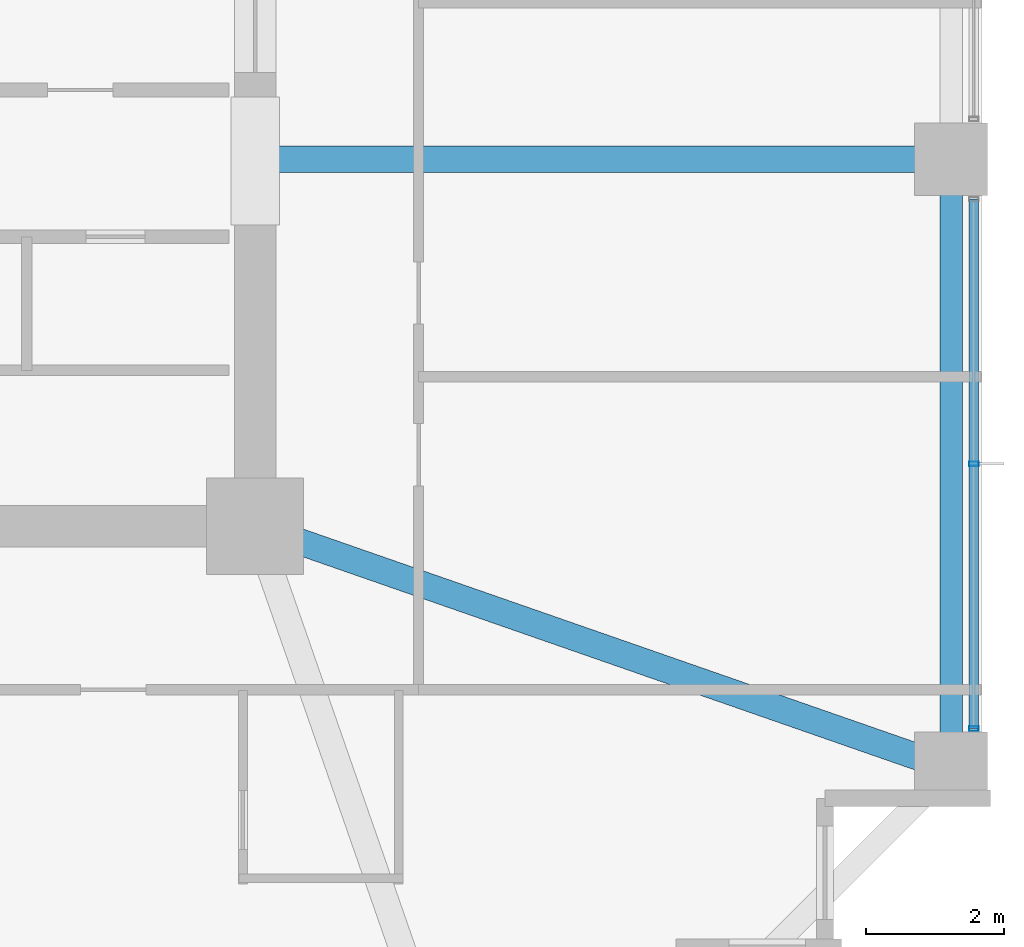
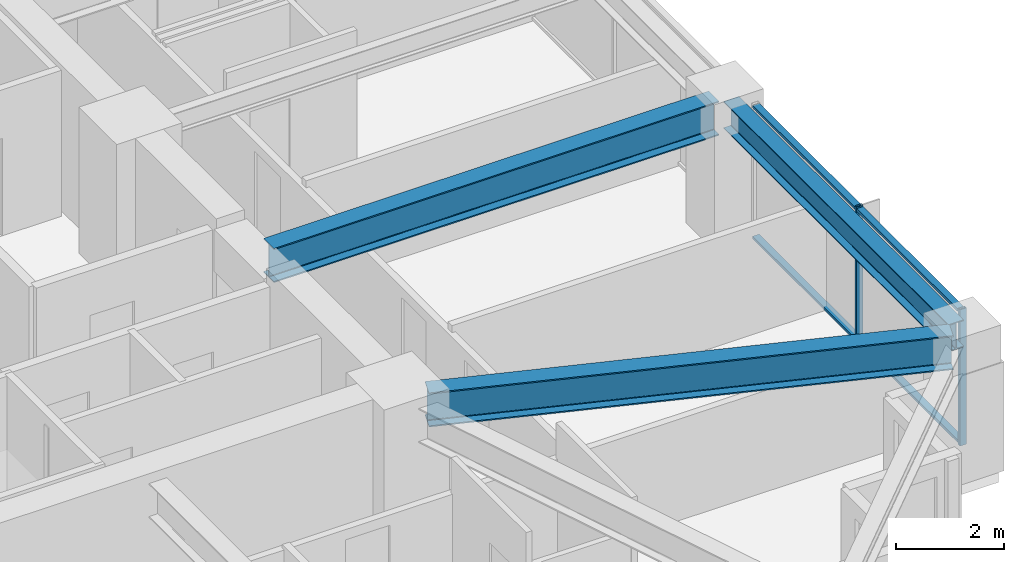
# One storey, part 14 of 38: 4 members, 3 beams, 1 element without a shape of its own.
"""IFC4 building model written with IfcOpenShell, lengths in metres."""

from ifc_helpers import new_model, si_unit, direction, frame, origin, origin_2d, place, context, subcontext, project, spatial, hollow_rectangle, i_section, extrude, material, material_profile, profile_set, type_object, element, aggregate, save


model = new_model("IFC4")

# Units and contexts
model_context = context("Model", 3, precision=1e-05, world=origin(), true_north=direction((0.0, 1.0)))
body_context = subcontext(model_context, "Body", "Model", "MODEL_VIEW")
ifc_project = project(units=[si_unit("LENGTHUNIT", "METRE"), si_unit("AREAUNIT", "SQUARE_METRE"), si_unit("VOLUMEUNIT", "CUBIC_METRE"), si_unit("PLANEANGLEUNIT", "RADIAN"), si_unit("MASSUNIT", "GRAM", prefix="KILO")], contexts=[model_context])

# Site, building, storey
site_placement = place(None, origin())
site = spatial("IfcSite", under=ifc_project, at=site_placement, CompositionType="ELEMENT")
building_placement = place(site_placement, origin())
building = spatial("IfcBuilding", under=site, at=building_placement, Name="Kolvaren Belvedere", CompositionType="ELEMENT")
storey_placement = place(building_placement, frame((0.0, 0.0, 98.60009765625)))
storey = spatial("IfcBuildingStorey", under=building, at=storey_placement, Name="L28", CompositionType="ELEMENT", Elevation=98.60009765625)

# Beams
ifc_material_1 = material(Name="Structural steel ASTM A992 Grade 50", Category="steel")
ifc_material_profile_1 = material_profile(ifc_material_1, i_section(OverallWidth=0.381103515625, OverallDepth=0.77294921875, WebThickness=0.0166015625, FlangeThickness=0.027099609375, FilletRadius=0.02392578125, at=origin_2d()), Name="W30X173")
ifc_profile_set_1 = profile_set([ifc_material_profile_1], Name="Structural steel ASTM A992 Grade 50")
beam_type_1 = type_object("IfcBeamType", Name="BM-GIRD-W30X173", PredefinedType="BEAM", material=ifc_profile_set_1)
beam_1_placement = place(storey_placement, frame((10.199951171875, -4.60009765625, 2.693359375), z_axis=(1.0, 0.0, 0.0), x_axis=(0.0, 1.0, 0.0)))
element("IfcBeam", 1, at=beam_1_placement, inside=storey, type_object=beam_type_1, Name="L28 East Radial Girder M", PredefinedType="BEAM", context=body_context, shape_type="SweptSolid", body=[
    extrude(i_section(OverallWidth=0.381103515625, OverallDepth=0.77294921875, WebThickness=0.0166015625, FlangeThickness=0.027099609375, FilletRadius=0.02392578125, at=origin_2d()), origin(), (0.0, 0.0, 1.0), 9.513916015625),
])
beam_2_placement = place(storey_placement, frame((10.41943359375, -10.080810546875, 2.693359375), z_axis=(0.944371408538, -0.328880894453, 0.0), x_axis=(0.328880894453, 0.944371408538, 0.0)))
element("IfcBeam", 2, at=beam_2_placement, inside=storey, type_object=beam_type_1, Name="L28 Corner Core-to-Perimeter Girder CC2-E1", PredefinedType="BEAM", context=body_context, shape_type="SweptSolid", body=[
    extrude(i_section(OverallWidth=0.381103515625, OverallDepth=0.77294921875, WebThickness=0.0166015625, FlangeThickness=0.027099609375, FilletRadius=0.02392578125, at=origin_2d()), origin(), (0.0, 0.0, 1.0), 9.882080078125),
])
ifc_material_2 = material(Name="Structural steel ASTM A992 Grade 50", Category="steel")
ifc_material_profile_2 = material_profile(ifc_material_2, i_section(OverallWidth=0.324951171875, OverallDepth=0.615966796875, WebThickness=0.013916015625, FlangeThickness=0.021484375, FilletRadius=0.02001953125, at=origin_2d()), Name="W24X117")
ifc_profile_set_2 = profile_set([ifc_material_profile_2], Name="Structural steel ASTM A992 Grade 50")
beam_type_2 = type_object("IfcBeamType", Name="BM-SPAN-W24X117", PredefinedType="SPANDREL", material=ifc_profile_set_2)
beam_3_placement = place(storey_placement, frame((19.949951171875, -13.163818359375, 2.77197265625), z_axis=(0.0, 1.0, 0.0), x_axis=(-1.0, 0.0, 0.0)))
element("IfcBeam", 3, at=beam_3_placement, inside=storey, type_object=beam_type_2, Name="L28 Perimeter Spandrel E1-E2", PredefinedType="SPANDREL", context=body_context, shape_type="SweptSolid", body=[
    extrude(i_section(OverallWidth=0.324951171875, OverallDepth=0.615966796875, WebThickness=0.013916015625, FlangeThickness=0.021484375, FilletRadius=0.02001953125, at=origin_2d()), origin(), (0.0, 0.0, 1.0), 8.32763671875),
])

# Curtain wall, members
ifc_material_3 = material(Name="Anodised pale-metal aluminium AA 6063-T6", Category="aluminium")
curtain_wall_type = type_object("IfcCurtainWallType", Name="CW-Z2-MID", PredefinedType="NOTDEFINED", material=ifc_material_3)
curtain_wall_placement = place(storey_placement, origin())
curtain_wall = element("IfcCurtainWall", 4, at=curtain_wall_placement, inside=storey, type_object=curtain_wall_type, Name="L28 Unitised Curtain Wall FCW-L28-E-B3", PredefinedType="NOTDEFINED")
ifc_material_4 = material(Name="Anodised pale-metal aluminium AA 6063-T6", Category="aluminium")
ifc_material_profile_3 = material_profile(ifc_material_4, hollow_rectangle(XDim=0.06494140625, YDim=0.139892578125, WallThickness=0.00390625, at=origin_2d()), Name="ALU-MUL-140X65")
ifc_profile_set_3 = profile_set([ifc_material_profile_3], Name="Anodised pale-metal aluminium AA 6063-T6")
member_type_1 = type_object("IfcMemberType", Name="CW-MUL-140", PredefinedType="MULLION", material=ifc_profile_set_3)
member_1_placement = place(storey_placement, frame((20.280029296875, -9.0, 0.0), z_axis=(0.0, 0.0, 1.0), x_axis=(0.0, 1.0, 0.0)))
member_1 = element("IfcMember", 5, at=member_1_placement, type_object=member_type_1, Name="FCW-L28-E-B3 Unitised Mullion 2", PredefinedType="MULLION", context=body_context, shape_type="SweptSolid", body=[
    extrude(hollow_rectangle(XDim=0.06494140625, YDim=0.139892578125, WallThickness=0.00390625, at=origin_2d()), origin(), (0.0, 0.0, 1.0), 3.079833984375),
])
member_2_placement = place(storey_placement, frame((20.280029296875, -12.822509765625, 0.0), z_axis=(0.0, 0.0, 1.0), x_axis=(0.0, 1.0, 0.0)))
member_2 = element("IfcMember", 6, at=member_2_placement, type_object=member_type_1, Name="FCW-L28-E-B3 Unitised Mullion 3", PredefinedType="MULLION", context=body_context, shape_type="SweptSolid", body=[
    extrude(hollow_rectangle(XDim=0.06494140625, YDim=0.139892578125, WallThickness=0.00390625, at=origin_2d()), origin(), (0.0, 0.0, 1.0), 3.079833984375),
])
ifc_material_5 = material(Name="Anodised pale-metal aluminium AA 6063-T6", Category="aluminium")
ifc_material_profile_4 = material_profile(ifc_material_5, hollow_rectangle(XDim=0.06005859375, YDim=0.139892578125, WallThickness=0.00390625, at=origin_2d()), Name="ALU-TRN-140X60")
ifc_profile_set_4 = profile_set([ifc_material_profile_4], Name="Anodised pale-metal aluminium AA 6063-T6")
member_type_2 = type_object("IfcMemberType", Name="CW-TRN-140", PredefinedType="USERDEFINED", material=ifc_profile_set_4)
member_3_placement = place(storey_placement, frame((20.280029296875, -5.177490234375, 0.059814453125), z_axis=(0.0, -1.0, 0.0), x_axis=(0.0, 0.0, 1.0)))
member_3 = element("IfcMember", 7, at=member_3_placement, type_object=member_type_2, Name="FCW-L28-E-B3 Sill Transom", ObjectType="TRANSOM", PredefinedType="USERDEFINED", context=body_context, shape_type="SweptSolid", body=[
    extrude(hollow_rectangle(XDim=0.06005859375, YDim=0.139892578125, WallThickness=0.00390625, at=origin_2d()), origin(), (0.0, 0.0, 1.0), 7.64501953125),
])
member_4_placement = place(storey_placement, frame((20.280029296875, -5.177490234375, 3.02001953125), z_axis=(0.0, -1.0, 0.0), x_axis=(0.0, 0.0, 1.0)))
member_4 = element("IfcMember", 8, at=member_4_placement, type_object=member_type_2, Name="FCW-L28-E-B3 Head Transom", ObjectType="TRANSOM", PredefinedType="USERDEFINED", context=body_context, shape_type="SweptSolid", body=[
    extrude(hollow_rectangle(XDim=0.06005859375, YDim=0.139892578125, WallThickness=0.00390625, at=origin_2d()), origin(), (0.0, 0.0, 1.0), 7.64501953125),
])
aggregate(curtain_wall, [member_1, member_2, member_3, member_4])

save(model, "model.ifc")
